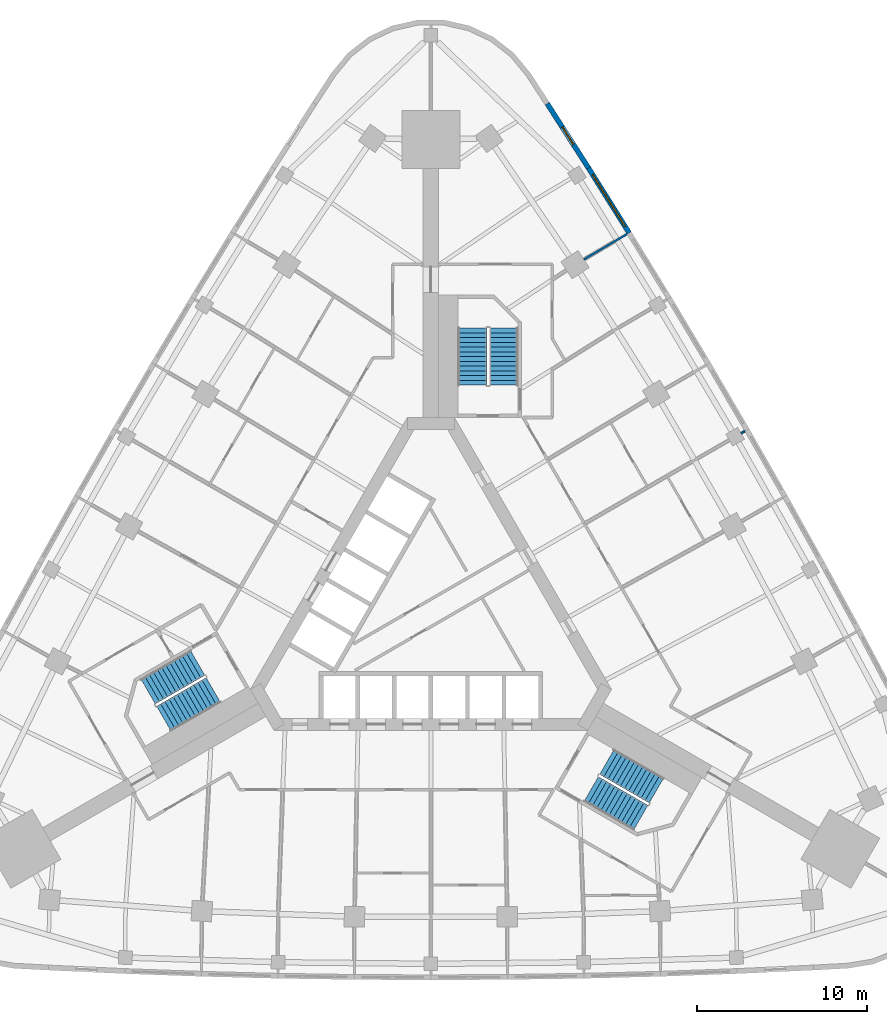
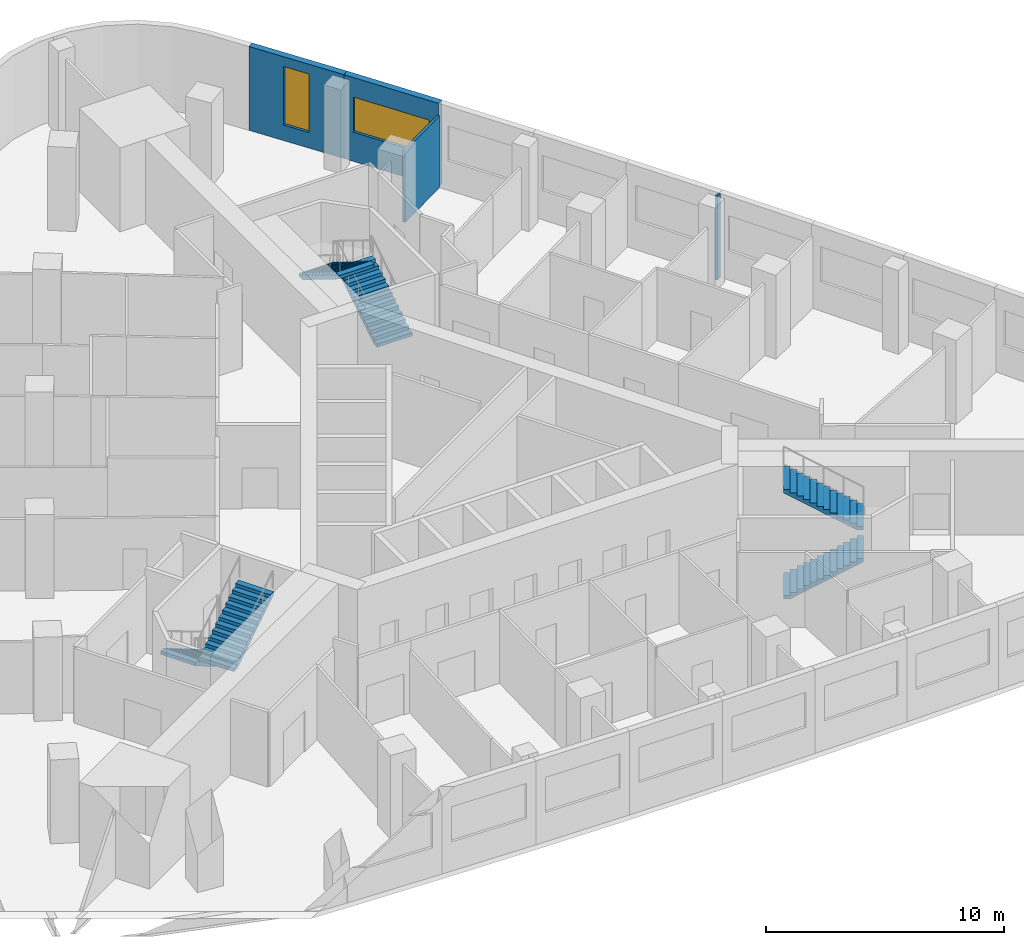
# One storey, part 10 of 11: 6 stair flights, 4 walls, 2 windows, 2 openings, 3 elements without a shape of their own.
"""IFC4 building model written with IfcOpenShell, lengths in metres."""

from ifc_helpers import new_model, si_unit, direction, frame, frame_2d, origin, place, context, subcontext, project, spatial, polyline, rectangle, outline, extrude, material, layer, layer_set, type_object, element, fill, aggregate, save


model = new_model("IFC4")

# Units and contexts
model_context = context("Model", 3, precision=1e-05, world=origin(), true_north=direction((0.0, 1.0)))
body_context = subcontext(model_context, "Body", "Model", "MODEL_VIEW")
ifc_project = project(units=[si_unit("LENGTHUNIT", "METRE"), si_unit("AREAUNIT", "SQUARE_METRE"), si_unit("VOLUMEUNIT", "CUBIC_METRE"), si_unit("PLANEANGLEUNIT", "RADIAN"), si_unit("MASSUNIT", "GRAM", prefix="KILO")], contexts=[model_context])

# Site, building, storey
site_placement = place(None, origin())
site = spatial("IfcSite", under=ifc_project, at=site_placement, CompositionType="ELEMENT")
building_placement = place(site_placement, origin())
building = spatial("IfcBuilding", under=site, at=building_placement, Name="Noor Cloister Tower", CompositionType="ELEMENT")
storey_placement = place(building_placement, frame((0.0, 0.0, 19.5)))
storey = spatial("IfcBuildingStorey", under=building, at=storey_placement, Name="L04", CompositionType="ELEMENT", Elevation=19.5)

# Wall, opening, window
ifc_material_1 = material(Name="Limestone", Category="masonry")
ifc_layer_1 = layer(ifc_material_1, 0.300048828125)
ifc_layer_set_1 = layer_set([ifc_layer_1], Name="Limestone panel wall 300")
wall_type_1 = type_object("IfcWallType", Name="Limestone panel wall 300", PredefinedType="NOTDEFINED", material=ifc_layer_set_1)
wall_1_placement = place(storey_placement, frame((9.268798828125, 26.12158203125, 0.0), z_axis=(0.0, 0.0, 1.0), x_axis=(0.530804082031, -0.847494558389, 0.0)))
wall_1 = element("IfcWall", 1, at=wall_1_placement, inside=storey, type_object=wall_type_1, Name="Limestone wall L04 NE 9", PredefinedType="NOTDEFINED", context=body_context, shape_type="SweptSolid", body=[
    extrude(rectangle(XDim=4.495849609375, YDim=0.300048828125, at=frame_2d((2.248046875, 0.0))), origin(), (0.0, 0.0, 1.0), 4.300048828125),
])
opening_1_placement = place(wall_1_placement, frame((0.447998046875, 0.0, 1.5)))
opening_1 = element("IfcOpeningElement", 2, at=opening_1_placement, cuts=wall_1, Name="Opening L04-W29", PredefinedType="OPENING", context=body_context, shape_type="SweptSolid", body=[
    extrude(rectangle(XDim=3.60009765625, YDim=1.800048828125, at=frame_2d((1.800048828125, 0.89990234375))), frame((0.0, 0.16015625, 0.0), z_axis=(0.0, -1.0, 0.0), x_axis=(1.0, 0.0, 0.0)), (0.0, 0.0, 1.0), 0.320068359375),
])
ifc_material_2 = material(Name="Aluminium 6063-T6 anodised", Category="aluminium")
window_type_1 = type_object("IfcWindowType", Name="Clerestory window 3600 x 1800", PartitioningType="SINGLE_PANEL", PredefinedType="WINDOW", material=ifc_material_2)
window_1_placement = place(opening_1_placement, origin())
window_1 = element("IfcWindow", 3, at=window_1_placement, inside=storey, type_object=window_type_1, Name="Window L04 29", OverallHeight=1.800048828125, OverallWidth=3.60009765625, PartitioningType="SINGLE_PANEL", PredefinedType="WINDOW", context=body_context, shape_type="SweptSolid", body=[
    extrude(rectangle(XDim=3.60009765625, YDim=1.800048828125, at=frame_2d((1.800048828125, 0.89990234375))), frame((0.0, 0.030029296875, 0.0), z_axis=(0.0, -1.0, 0.0), x_axis=(1.0, 0.0, 0.0)), (0.0, 0.0, 1.0), 0.06005859375),
])
fill(opening_1, window_1)

wall_2_placement = place(storey_placement, frame((6.842041015625, 29.9091796875, 0.0), z_axis=(0.0, 0.0, 1.0), x_axis=(0.539483537275, -0.841996147859, 0.0)))
wall_2 = element("IfcWall", 4, at=wall_2_placement, inside=storey, type_object=wall_type_1, Name="Limestone wall L04 NE 10", PredefinedType="NOTDEFINED", context=body_context, shape_type="SweptSolid", body=[
    extrude(rectangle(XDim=4.49609375, YDim=0.300048828125, at=frame_2d((2.248046875, 0.0))), origin(), (0.0, 0.0, 1.0), 4.300048828125),
])
opening_2_placement = place(wall_2_placement, frame((1.64794921875, 0.0, 0.800048828125)))
opening_2 = element("IfcOpeningElement", 5, at=opening_2_placement, cuts=wall_2, Name="Opening L04-W30", PredefinedType="OPENING", context=body_context, shape_type="SweptSolid", body=[
    extrude(rectangle(XDim=1.199951171875, YDim=3.0, at=frame_2d((0.60009765625, 1.5))), frame((0.0, 0.16015625, 0.0), z_axis=(0.0, -1.0, 0.0), x_axis=(1.0, 0.0, 0.0)), (0.0, 0.0, 1.0), 0.320068359375),
])
ifc_material_3 = material(Name="Aluminium 6063-T6 anodised", Category="aluminium")
window_type_2 = type_object("IfcWindowType", Name="Lancet window 1200 x 3000", PartitioningType="SINGLE_PANEL", PredefinedType="WINDOW", material=ifc_material_3)
window_2_placement = place(opening_2_placement, origin())
window_2 = element("IfcWindow", 6, at=window_2_placement, inside=storey, type_object=window_type_2, Name="Window L04 30", OverallHeight=3.0, OverallWidth=1.199951171875, PartitioningType="SINGLE_PANEL", PredefinedType="WINDOW", context=body_context, shape_type="SweptSolid", body=[
    extrude(rectangle(XDim=1.199951171875, YDim=3.0, at=frame_2d((0.60009765625, 1.5))), frame((0.0, 0.030029296875, 0.0), z_axis=(0.0, -1.0, 0.0), x_axis=(1.0, 0.0, 0.0)), (0.0, 0.0, 1.0), 0.06005859375),
])
fill(opening_2, window_2)

# Walls
ifc_material_4 = material(Name="Plasterboard on steel studs", Category="steel")
ifc_layer_2 = layer(ifc_material_4, 0.1201171875)
ifc_layer_set_2 = layer_set([ifc_layer_2], Name="Partition wall 120")
wall_type_2 = type_object("IfcWallType", Name="Partition wall 120", PredefinedType="PARTITIONING", material=ifc_layer_set_2)
wall_3_placement = place(storey_placement, frame((18.4541015625, 10.653076171875, 0.0), z_axis=(0.0, 0.0, 1.0), x_axis=(-0.866558586415, -0.499075361355, 0.0)))
element("IfcWall", 7, at=wall_3_placement, inside=storey, type_object=wall_type_2, Name="Partition", PredefinedType="PARTITIONING", context=body_context, shape_type="SweptSolid", body=[
    extrude(rectangle(XDim=0.25048828125, YDim=0.1201171875, at=frame_2d((0.125244140625, 0.0))), origin(), (0.0, 0.0, 1.0), 4.300048828125),
])
wall_4_placement = place(storey_placement, frame((11.52392578125, 22.237060546875, 0.0), z_axis=(0.0, 0.0, 1.0), x_axis=(-0.861228913487, -0.508217235613, 0.0)))
element("IfcWall", 8, at=wall_4_placement, inside=storey, type_object=wall_type_2, Name="Partition", PredefinedType="PARTITIONING", context=body_context, shape_type="SweptSolid", body=[
    extrude(rectangle(XDim=2.93994140625, YDim=0.1201171875, at=frame_2d((1.469970703125, 0.0))), origin(), (0.0, 0.0, 1.0), 3.68310546875),
])

# Stair, stair flights
ifc_material_5 = material(Name="Concrete C40/50", Category="concrete")
stair_type = type_object("IfcStairType", Name="Exit stair 26 risers", PredefinedType="HALF_TURN_STAIR", material=ifc_material_5)
stair_1_placement = place(storey_placement, origin())
stair_1 = element("IfcStair", 9, at=stair_1_placement, inside=storey, type_object=stair_type, Name="Exit stair ST1 L04", PredefinedType="HALF_TURN_STAIR")
ifc_material_6 = material(Name="Concrete C40/50", Category="concrete")
stair_flight_type = type_object("IfcStairFlightType", Name="Exit stair flight", PredefinedType="STRAIGHT", material=ifc_material_6)
stair_flight_1_placement = place(storey_placement, frame((4.28564453125, 13.3564453125, 0.0), z_axis=(0.0, 0.0, 1.0), x_axis=(0.0, 1.0, 0.0)))
stair_flight_1 = element("IfcStairFlight", 10, at=stair_flight_1_placement, type_object=stair_flight_type, Name="ST1 flight 1", NumberOfRisers=13, NumberOfTreads=12, PredefinedType="STRAIGHT", RiserHeight=0.173076923, TreadLength=0.28, context=body_context, shape_type="SweptSolid", body=[
    extrude(outline(polyline([(0.0, 0.0), (0.0, 0.173095703125), (0.280029296875, 0.173095703125), (0.280029296875, 0.34619140625), (0.56005859375, 0.34619140625), (0.56005859375, 0.519287109375), (0.840087890625, 0.519287109375), (0.840087890625, 0.6923828125), (1.1201171875, 0.6923828125), (1.1201171875, 0.865478515625), (1.39990234375, 0.865478515625), (1.39990234375, 1.03857421875), (1.679931640625, 1.03857421875), (1.679931640625, 1.21142578125), (1.9599609375, 1.21142578125), (1.9599609375, 1.384521484375), (2.239990234375, 1.384521484375), (2.239990234375, 1.5576171875), (2.52001953125, 1.5576171875), (2.52001953125, 1.730712890625), (2.800048828125, 1.730712890625), (2.800048828125, 1.90380859375), (3.080078125, 1.90380859375), (3.080078125, 2.076904296875), (3.360107421875, 2.076904296875), (3.360107421875, 2.25), (3.360107421875, 1.900634765625), (0.28515625, 0.0), (0.0, 0.0)])), frame((0.0, 0.85009765625, 0.0), z_axis=(0.0, -1.0, 0.0), x_axis=(1.0, 0.0, 0.0)), (0.0, 0.0, 1.0), 1.699951171875),
])
stair_flight_2_placement = place(storey_placement, frame((2.435546875, 16.71630859375, 2.25), z_axis=(0.0, 0.0, 1.0), x_axis=(0.0, -1.0, 0.0)))
stair_flight_2 = element("IfcStairFlight", 11, at=stair_flight_2_placement, type_object=stair_flight_type, Name="ST1 flight 2", NumberOfRisers=13, NumberOfTreads=12, PredefinedType="STRAIGHT", RiserHeight=0.173076923, TreadLength=0.28, context=body_context, shape_type="SweptSolid", body=[
    extrude(outline(polyline([(0.0, 0.0), (0.0, 0.173095703125), (0.280029296875, 0.173095703125), (0.280029296875, 0.34619140625), (0.56005859375, 0.34619140625), (0.56005859375, 0.519287109375), (0.840087890625, 0.519287109375), (0.840087890625, 0.6923828125), (1.1201171875, 0.6923828125), (1.1201171875, 0.865478515625), (1.39990234375, 0.865478515625), (1.39990234375, 1.03857421875), (1.679931640625, 1.03857421875), (1.679931640625, 1.21142578125), (1.9599609375, 1.21142578125), (1.9599609375, 1.384521484375), (2.239990234375, 1.384521484375), (2.239990234375, 1.5576171875), (2.52001953125, 1.5576171875), (2.52001953125, 1.730712890625), (2.800048828125, 1.730712890625), (2.800048828125, 1.90380859375), (3.080078125, 1.90380859375), (3.080078125, 2.076904296875), (3.360107421875, 2.076904296875), (3.360107421875, 2.25), (3.360107421875, 1.900634765625), (0.28515625, 0.0), (0.0, 0.0)])), frame((0.0, 0.85009765625, 0.0), z_axis=(0.0, -1.0, 0.0), x_axis=(1.0, 0.0, 0.0)), (0.0, 0.0, 1.0), 1.699951171875),
])
aggregate(stair_1, [stair_flight_1, stair_flight_2])

stair_2_placement = place(storey_placement, origin())
stair_2 = element("IfcStair", 12, at=stair_2_placement, inside=storey, type_object=stair_type, Name="Exit stair ST2 L04", PredefinedType="HALF_TURN_STAIR")
stair_flight_3_placement = place(storey_placement, frame((-13.709716796875, -2.966796875, 0.0), z_axis=(0.0, 0.0, 1.0), x_axis=(-0.866025403784, -0.5, 0.0)))
stair_flight_3 = element("IfcStairFlight", 13, at=stair_flight_3_placement, type_object=stair_flight_type, Name="ST2 flight 1", NumberOfRisers=13, NumberOfTreads=12, PredefinedType="STRAIGHT", RiserHeight=0.173076923, TreadLength=0.28, context=body_context, shape_type="SweptSolid", body=[
    extrude(outline(polyline([(0.0, 0.0), (0.0, 0.173095703125), (0.280029296875, 0.173095703125), (0.280029296875, 0.34619140625), (0.56005859375, 0.34619140625), (0.56005859375, 0.519287109375), (0.840087890625, 0.519287109375), (0.840087890625, 0.6923828125), (1.1201171875, 0.6923828125), (1.1201171875, 0.865478515625), (1.39990234375, 0.865478515625), (1.39990234375, 1.03857421875), (1.679931640625, 1.03857421875), (1.679931640625, 1.21142578125), (1.9599609375, 1.21142578125), (1.9599609375, 1.384521484375), (2.239990234375, 1.384521484375), (2.239990234375, 1.5576171875), (2.52001953125, 1.5576171875), (2.52001953125, 1.730712890625), (2.800048828125, 1.730712890625), (2.800048828125, 1.90380859375), (3.080078125, 1.90380859375), (3.080078125, 2.076904296875), (3.360107421875, 2.076904296875), (3.360107421875, 2.25), (3.360107421875, 1.900634765625), (0.28515625, 0.0), (0.0, 0.0)])), frame((0.0, 0.85009765625, 0.0), z_axis=(0.0, -1.0, 0.0), x_axis=(1.0, 0.0, 0.0)), (0.0, 0.0, 1.0), 1.699951171875),
])
stair_flight_4_placement = place(storey_placement, frame((-15.694580078125, -6.248779296875, 2.25), z_axis=(0.0, 0.0, 1.0), x_axis=(0.866025403784, 0.5, 0.0)))
stair_flight_4 = element("IfcStairFlight", 14, at=stair_flight_4_placement, type_object=stair_flight_type, Name="ST2 flight 2", NumberOfRisers=13, NumberOfTreads=12, PredefinedType="STRAIGHT", RiserHeight=0.173076923, TreadLength=0.28, context=body_context, shape_type="SweptSolid", body=[
    extrude(outline(polyline([(0.0, 0.0), (0.0, 0.173095703125), (0.280029296875, 0.173095703125), (0.280029296875, 0.34619140625), (0.56005859375, 0.34619140625), (0.56005859375, 0.519287109375), (0.840087890625, 0.519287109375), (0.840087890625, 0.6923828125), (1.1201171875, 0.6923828125), (1.1201171875, 0.865478515625), (1.39990234375, 0.865478515625), (1.39990234375, 1.03857421875), (1.679931640625, 1.03857421875), (1.679931640625, 1.21142578125), (1.9599609375, 1.21142578125), (1.9599609375, 1.384521484375), (2.239990234375, 1.384521484375), (2.239990234375, 1.5576171875), (2.52001953125, 1.5576171875), (2.52001953125, 1.730712890625), (2.800048828125, 1.730712890625), (2.800048828125, 1.90380859375), (3.080078125, 1.90380859375), (3.080078125, 2.076904296875), (3.360107421875, 2.076904296875), (3.360107421875, 2.25), (3.360107421875, 1.900634765625), (0.28515625, 0.0), (0.0, 0.0)])), frame((0.0, 0.85009765625, 0.0), z_axis=(0.0, -1.0, 0.0), x_axis=(1.0, 0.0, 0.0)), (0.0, 0.0, 1.0), 1.699951171875),
])
aggregate(stair_2, [stair_flight_3, stair_flight_4])

stair_3_placement = place(storey_placement, origin())
stair_3 = element("IfcStair", 15, at=stair_3_placement, inside=storey, type_object=stair_type, Name="Exit stair ST3 L04", PredefinedType="HALF_TURN_STAIR")
stair_flight_5_placement = place(storey_placement, frame((9.424072265625, -10.3896484375, 0.0), z_axis=(0.0, 0.0, 1.0), x_axis=(0.866025403784, -0.5, 0.0)))
stair_flight_5 = element("IfcStairFlight", 16, at=stair_flight_5_placement, type_object=stair_flight_type, Name="ST3 flight 1", NumberOfRisers=13, NumberOfTreads=12, PredefinedType="STRAIGHT", RiserHeight=0.173076923, TreadLength=0.28, context=body_context, shape_type="SweptSolid", body=[
    extrude(outline(polyline([(0.0, 0.0), (0.0, 0.173095703125), (0.280029296875, 0.173095703125), (0.280029296875, 0.34619140625), (0.56005859375, 0.34619140625), (0.56005859375, 0.519287109375), (0.840087890625, 0.519287109375), (0.840087890625, 0.6923828125), (1.1201171875, 0.6923828125), (1.1201171875, 0.865478515625), (1.39990234375, 0.865478515625), (1.39990234375, 1.03857421875), (1.679931640625, 1.03857421875), (1.679931640625, 1.21142578125), (1.9599609375, 1.21142578125), (1.9599609375, 1.384521484375), (2.239990234375, 1.384521484375), (2.239990234375, 1.5576171875), (2.52001953125, 1.5576171875), (2.52001953125, 1.730712890625), (2.800048828125, 1.730712890625), (2.800048828125, 1.90380859375), (3.080078125, 1.90380859375), (3.080078125, 2.076904296875), (3.360107421875, 2.076904296875), (3.360107421875, 2.25), (3.360107421875, 1.900634765625), (0.28515625, 0.0), (0.0, 0.0)])), frame((0.0, 0.85009765625, 0.0), z_axis=(0.0, -1.0, 0.0), x_axis=(1.0, 0.0, 0.0)), (0.0, 0.0, 1.0), 1.699951171875),
])
stair_flight_6_placement = place(storey_placement, frame((13.259033203125, -10.467529296875, 2.25), z_axis=(0.0, 0.0, 1.0), x_axis=(-0.866025403784, 0.5, 0.0)))
stair_flight_6 = element("IfcStairFlight", 17, at=stair_flight_6_placement, type_object=stair_flight_type, Name="ST3 flight 2", NumberOfRisers=13, NumberOfTreads=12, PredefinedType="STRAIGHT", RiserHeight=0.173076923, TreadLength=0.28, context=body_context, shape_type="SweptSolid", body=[
    extrude(outline(polyline([(0.0, 0.0), (0.0, 0.173095703125), (0.280029296875, 0.173095703125), (0.280029296875, 0.34619140625), (0.56005859375, 0.34619140625), (0.56005859375, 0.519287109375), (0.840087890625, 0.519287109375), (0.840087890625, 0.6923828125), (1.1201171875, 0.6923828125), (1.1201171875, 0.865478515625), (1.39990234375, 0.865478515625), (1.39990234375, 1.03857421875), (1.679931640625, 1.03857421875), (1.679931640625, 1.21142578125), (1.9599609375, 1.21142578125), (1.9599609375, 1.384521484375), (2.239990234375, 1.384521484375), (2.239990234375, 1.5576171875), (2.52001953125, 1.5576171875), (2.52001953125, 1.730712890625), (2.800048828125, 1.730712890625), (2.800048828125, 1.90380859375), (3.080078125, 1.90380859375), (3.080078125, 2.076904296875), (3.360107421875, 2.076904296875), (3.360107421875, 2.25), (3.360107421875, 1.900634765625), (0.28515625, 0.0), (0.0, 0.0)])), frame((0.0, 0.85009765625, 0.0), z_axis=(0.0, -1.0, 0.0), x_axis=(1.0, 0.0, 0.0)), (0.0, 0.0, 1.0), 1.699951171875),
])
aggregate(stair_3, [stair_flight_5, stair_flight_6])

save(model, "model.ifc")
